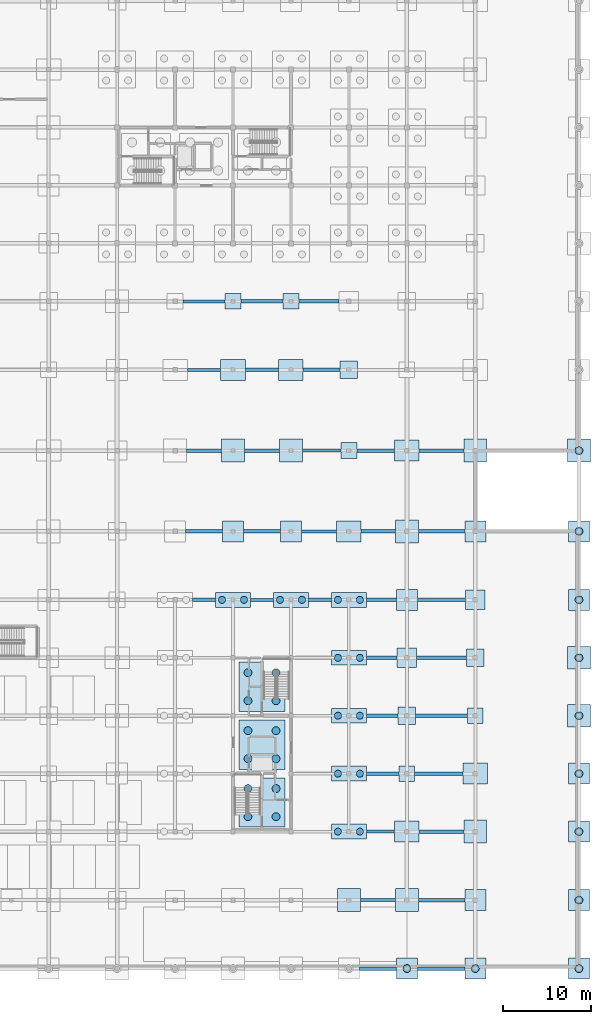
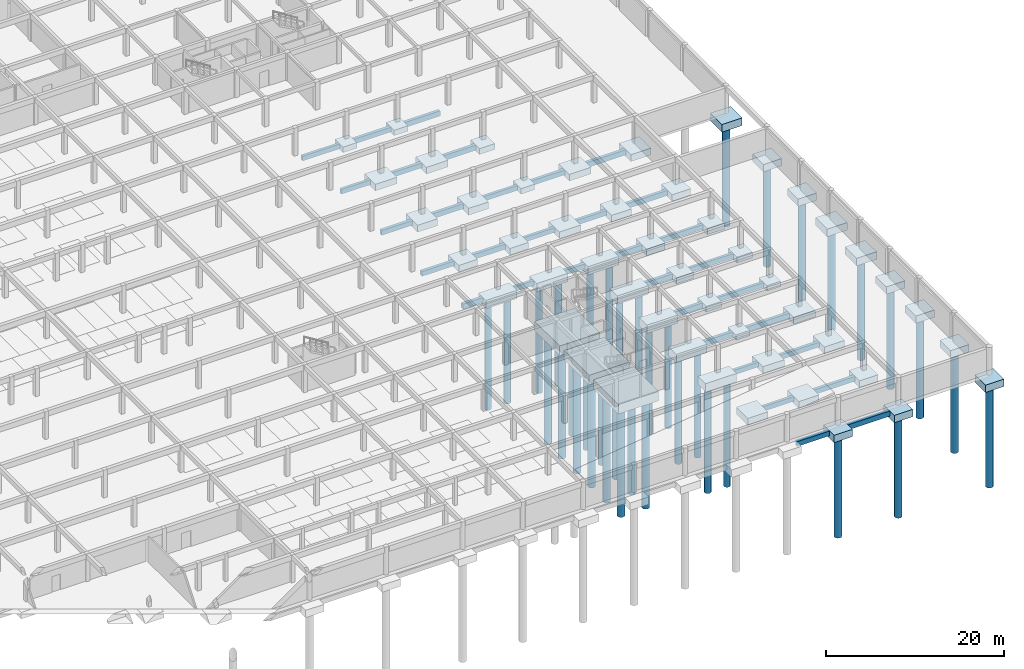
# One storey, part 8 of 37: 82 footings, 37 piles.
"""IFC4 building model written with IfcOpenShell, lengths in metres."""

import ifcopenshell
import ifcopenshell.guid

model = None  # the IFC model being written
_history = None  # IfcOwnerHistory: only IFC2X3 demands one
_inside = {}  # id of a spatial element -> (the spatial element, [elements in it])
_under = {}  # id of a project, library or spatial element -> (it, [spatial elements below it])
_declared = {}  # id of a project -> (the project, [libraries it declares])
_typed = {}  # id of a type object -> (the type object, [elements of that type])
_made_of = {}  # id of a material, layer set ... -> (it, [elements and type objects made of it])


def new_model(schema):
    """Start an empty IFC model of exactly this schema.

    Asked for "IFC4X3", IfcOpenShell would pick the latest addendum, in which some entities
    have other attributes; the version numbers below select the first issue.
    IFC2X3 requires an IfcOwnerHistory on every rooted entity: one is made here for all.
    """
    global model, _history
    if schema == "IFC4X3":
        model = ifcopenshell.file(schema_version=(4, 3, 0, 0))
    else:
        model = ifcopenshell.file(schema=schema)
    _inside.clear()
    _under.clear()
    _declared.clear()
    _typed.clear()
    _made_of.clear()
    _history = None
    if model.schema == "IFC2X3":
        org = make("IfcOrganization", Name="unknown")
        user = make(
            "IfcPersonAndOrganization",
            ThePerson=make("IfcPerson", FamilyName="unknown"),
            TheOrganization=org,
        )
        app = make(
            "IfcApplication",
            ApplicationDeveloper=org,
            Version="unknown",
            ApplicationFullName="unknown",
            ApplicationIdentifier="unknown",
        )
        _history = make(
            "IfcOwnerHistory",
            OwningUser=user,
            OwningApplication=app,
            ChangeAction="ADDED",
            CreationDate=0,
        )
    return model


def make(cls, **values):
    """One entity of the class cls with the attributes given. An attribute that is None is left unset."""
    return model.create_entity(
        cls, **{name: value for name, value in values.items() if value is not None}
    )


def rooted(cls, **values):
    """An entity with a GlobalId (a new one), such as an element, a storey or a relation."""
    return make(cls, GlobalId=ifcopenshell.guid.new(), OwnerHistory=_history, **values)


def si_unit(unit_type, name, prefix=None):
    """IfcSIUnit, for example si_unit("LENGTHUNIT", "METRE", prefix="MILLI")."""
    return make("IfcSIUnit", UnitType=unit_type, Prefix=prefix, Name=name)


def assignment(units):
    """IfcUnitAssignment: the units of a project."""
    return None if units is None else make("IfcUnitAssignment", Units=units)


def point(xyz):
    """IfcCartesianPoint."""
    return None if xyz is None else make("IfcCartesianPoint", Coordinates=xyz)


def direction(xyz):
    """IfcDirection."""
    return None if xyz is None else make("IfcDirection", DirectionRatios=xyz)


def frame(location, z_axis=None, x_axis=None):
    """IfcAxis2Placement3D, a coordinate frame: its origin and axes. An axis left out is left unset."""
    return make(
        "IfcAxis2Placement3D",
        Location=point(location),
        Axis=direction(z_axis),
        RefDirection=direction(x_axis),
    )


def frame_2d(location, x_axis=None):
    """IfcAxis2Placement2D, a coordinate frame in the plane: its origin and x axis."""
    return make(
        "IfcAxis2Placement2D", Location=point(location), RefDirection=direction(x_axis)
    )


def origin():
    """The frame at (0, 0, 0) with its axes left unset."""
    return frame((0.0, 0.0, 0.0))


def origin_2d():
    """The frame at (0, 0) in the plane with its x axis left unset."""
    return frame_2d((0.0, 0.0))


def place(relative_to, where):
    """IfcLocalPlacement: puts the frame where relative to a parent placement (None: the world)."""
    return make(
        "IfcLocalPlacement", PlacementRelTo=relative_to, RelativePlacement=where
    )


def context(
    kind, dimensions, precision=None, world=None, true_north=None, identifier=None
):
    """IfcGeometricRepresentationContext, for example the 3D "Model" context."""
    return make(
        "IfcGeometricRepresentationContext",
        ContextIdentifier=identifier,
        ContextType=kind,
        CoordinateSpaceDimension=dimensions,
        Precision=precision,
        WorldCoordinateSystem=world,
        TrueNorth=true_north,
    )


def subcontext(parent, identifier, kind, view, scale=None):
    """IfcGeometricRepresentationSubContext, for example "Body" below "Model"."""
    return make(
        "IfcGeometricRepresentationSubContext",
        ContextIdentifier=identifier,
        ContextType=kind,
        ParentContext=parent,
        TargetScale=scale,
        TargetView=view,
    )


def project(units=None, contexts=None):
    """IfcProject with its units and contexts."""
    return rooted(
        "IfcProject",
        Name="project",
        RepresentationContexts=contexts,
        UnitsInContext=assignment(units),
    )


def spatial(cls, under=None, at=None, **own):
    """A site, building, storey or space (cls), placed at a placement, below another one or the project."""
    s = rooted(cls, ObjectPlacement=at, **own)
    if under is not None:
        _under.setdefault(under.id(), (under, []))[1].append(s)
    return s


def profile(cls, at=None, kind="AREA", **sizes):
    """A parametric profile (cls). Its sizes go by their IFC names, for example OverallWidth=200.0."""
    return make(cls, ProfileType=kind, Position=at, **sizes)


def rectangle(**sizes):
    """IfcRectangleProfileDef."""
    return profile("IfcRectangleProfileDef", **sizes)


def circle(**sizes):
    """IfcCircleProfileDef."""
    return profile("IfcCircleProfileDef", **sizes)


def extrude(swept, where, along, depth):
    """IfcExtrudedAreaSolid: the profile swept, set in the frame where, extruded along a direction by depth."""
    return make(
        "IfcExtrudedAreaSolid",
        SweptArea=swept,
        Position=where,
        ExtrudedDirection=direction(along),
        Depth=depth,
    )


def shape(context_of_items, identifier, shape_type, items):
    """IfcShapeRepresentation: the items that make up one representation, for example the "Body"."""
    return make(
        "IfcShapeRepresentation",
        ContextOfItems=context_of_items,
        RepresentationIdentifier=identifier,
        RepresentationType=shape_type,
        Items=items,
    )


def material(Name=None, Category=None):
    """IfcMaterial."""
    return make("IfcMaterial", Name=Name, Category=Category)


def material_profile(
    of_material, cross_section, Name=None, Category=None, Priority=None
):
    """IfcMaterialProfile: a cross section and its material."""
    return make(
        "IfcMaterialProfile",
        Name=Name,
        Material=of_material,
        Profile=cross_section,
        Priority=Priority,
        Category=Category,
    )


def profile_set(profiles, Name=None, composite=None):
    """IfcMaterialProfileSet."""
    return make(
        "IfcMaterialProfileSet",
        Name=Name,
        MaterialProfiles=profiles,
        CompositeProfile=composite,
    )


def made_of(thing, what):
    """Note that an element or type object is made of a material, layer set ...; save() writes the relation."""
    if what is not None:
        _made_of.setdefault(what.id(), (what, []))[1].append(thing)
    return thing


def type_object(cls, material=None, **own):
    """A type object (cls), such as IfcWallType, which elements share."""
    return made_of(rooted(cls, **own), material)


def element(
    cls,
    number,
    at=None,
    inside=None,
    cuts=None,
    type_object=None,
    material=None,
    context=None,
    identifier="Body",
    shape_type=None,
    held_by="IfcProductDefinitionShape",
    body=None,
    shapes=None,
    **own,
):
    """One element of the class cls, such as IfcWall. Its Tag is "e" and its number.

    at: its placement. inside: the storey or other place that contains it. cuts: it is an
    opening in that element (IfcRelVoidsElement). A single representation is given by context,
    identifier, shape_type and body (its items); several are given by shapes. held_by: the class
    of the entity that holds the representations. save() writes the other relations.
    """
    e = rooted(cls, Tag="e%d" % number, ObjectPlacement=at, **own)
    if body is not None:
        shapes = [shape(context, identifier, shape_type, body)]
    if shapes is not None:
        e.Representation = make(held_by, Representations=shapes)
    if inside is not None:
        _inside.setdefault(inside.id(), (inside, []))[1].append(e)
    if cuts is not None:
        rooted(
            "IfcRelVoidsElement", RelatingBuildingElement=cuts, RelatedOpeningElement=e
        )
    if type_object is not None:
        _typed.setdefault(type_object.id(), (type_object, []))[1].append(e)
    return made_of(e, material)


def aggregate(whole, parts):
    """IfcRelAggregates: a whole, such as a stair, and the parts it consists of."""
    return rooted("IfcRelAggregates", RelatingObject=whole, RelatedObjects=parts)


def save(model, path):
    """Write the relations noted so far, then the file.

    IfcRelAggregates (storeys below a building ...), IfcRelContainedInSpatialStructure (elements
    in a storey), IfcRelDefinesByType, IfcRelAssociatesMaterial and IfcRelDeclares: one each for
    every whole, place, type object, material and project.
    """
    for whole, parts in _under.values():
        aggregate(whole, parts)
    for where, things in _inside.values():
        rooted(
            "IfcRelContainedInSpatialStructure",
            RelatedElements=things,
            RelatingStructure=where,
        )
    for kind, things in _typed.values():
        rooted("IfcRelDefinesByType", RelatedObjects=things, RelatingType=kind)
    for what, things in _made_of.values():
        rooted("IfcRelAssociatesMaterial", RelatedObjects=things, RelatingMaterial=what)
    for by, libraries in _declared.values():
        rooted("IfcRelDeclares", RelatingContext=by, RelatedDefinitions=libraries)
    model.write(path)


model = new_model("IFC4")

# Units and contexts
model_context = context("Model", 3, precision=1e-05, world=origin(), true_north=direction((0.0, 1.0)))
body_context = subcontext(model_context, "Body", "Model", "MODEL_VIEW")
ifc_project = project(units=[si_unit("LENGTHUNIT", "METRE"), si_unit("AREAUNIT", "SQUARE_METRE"), si_unit("VOLUMEUNIT", "CUBIC_METRE"), si_unit("PLANEANGLEUNIT", "RADIAN"), si_unit("MASSUNIT", "GRAM", prefix="KILO")], contexts=[model_context])

# Site, building, storey
site_placement = place(None, origin())
site = spatial("IfcSite", under=ifc_project, at=site_placement, CompositionType="ELEMENT")
building_placement = place(site_placement, origin())
building = spatial("IfcBuilding", under=site, at=building_placement, Name="Kernevlak Ridge Housing Community", CompositionType="ELEMENT")
storey_placement = place(building_placement, frame((0.0, 0.0, -3.800048828125)))
storey = spatial("IfcBuildingStorey", under=building, at=storey_placement, Name="B1", CompositionType="ELEMENT", Elevation=-3.800048828125)

# Piles
ifc_material = material(Name="Concrete C35/45", Category="concrete")
ifc_material_profile_1 = material_profile(ifc_material, circle(Radius=0.39990234375, at=origin_2d()), Name="BORED PILE 800")
ifc_profile_set_1 = profile_set([ifc_material_profile_1], Name="Concrete C35/45")
pile_type_1 = type_object("IfcPileType", Name="BP-01", PredefinedType="BORED", material=ifc_profile_set_1)
for number, where, z_axis, x_axis, name in (
    (1, (131.35009765625, 42.0, -1.5), (0.0, 0.0, -1.0), (1.0, 0.0, 0.0), "Bored pile BP-01 PILE-0251"),
    (2, (133.85009765625, 42.0, -1.5), (0.0, 0.0, -1.0), (1.0, 0.0, 0.0), "Bored pile BP-01 PILE-0252"),
    (3, (137.949951171875, 42.0, -1.5), (0.0, 0.0, -1.0), (1.0, 0.0, 0.0), "Bored pile BP-01 PILE-0263"),
    (4, (140.449951171875, 42.0, -1.5), (0.0, 0.0, -1.0), (1.0, 0.0, 0.0), "Bored pile BP-01 PILE-0264"),
    (5, (144.550048828125, 15.60009765625, -1.5), (0.0, 0.0, -1.0), (1.0, 0.0, 0.0), "Bored pile BP-01 PILE-0275"),
    (6, (147.050048828125, 15.60009765625, -1.5), (0.0, 0.0, -1.0), (1.0, 0.0, 0.0), "Bored pile BP-01 PILE-0276"),
    (7, (144.550048828125, 22.199951171875, -1.5), (0.0, 0.0, -1.0), (1.0, 0.0, 0.0), "Bored pile BP-01 PILE-0277"),
    (8, (147.050048828125, 22.199951171875, -1.5), (0.0, 0.0, -1.0), (1.0, 0.0, 0.0), "Bored pile BP-01 PILE-0278"),
    (9, (144.550048828125, 28.800048828125, -1.5), (0.0, 0.0, -1.0), (1.0, 0.0, 0.0), "Bored pile BP-01 PILE-0279"),
    (10, (147.050048828125, 28.800048828125, -1.5), (0.0, 0.0, -1.0), (1.0, 0.0, 0.0), "Bored pile BP-01 PILE-0280"),
    (11, (144.550048828125, 35.39990234375, -1.5), (0.0, 0.0, -1.0), (1.0, 0.0, 0.0), "Bored pile BP-01 PILE-0281"),
    (12, (147.050048828125, 35.39990234375, -1.5), (0.0, 0.0, -1.0), (1.0, 0.0, 0.0), "Bored pile BP-01 PILE-0282"),
    (13, (144.550048828125, 42.0, -1.5), (0.0, 0.0, -1.0), (1.0, 0.0, 0.0), "Bored pile BP-01 PILE-0283"),
    (14, (147.050048828125, 42.0, -1.5), (0.0, 0.0, -1.0), (1.0, 0.0, 0.0), "Bored pile BP-01 PILE-0284"),
):
    element("IfcPile", number, at=place(storey_placement, frame(where, z_axis=z_axis, x_axis=x_axis)), inside=storey, type_object=pile_type_1, Name=name, PredefinedType="BORED", context=body_context, shape_type="SweptSolid", body=[
        extrude(circle(Radius=0.39990234375, at=origin_2d()), origin(), (0.0, 0.0, 1.0), 14.5),
    ])
ifc_material_profile_2 = material_profile(ifc_material, circle(Radius=0.449951171875, at=origin_2d()), Name="BORED PILE 900")
ifc_profile_set_2 = profile_set([ifc_material_profile_2], Name="Concrete C35/45")
pile_type_2 = type_object("IfcPileType", Name="BP-02", PredefinedType="BORED", material=ifc_profile_set_2)
for number, where, z_axis, x_axis, name in (
    (15, (134.300048828125, 17.300048828125, -1.64990234375), (0.0, 0.0, -1.0), (1.0, 0.0, 0.0), "Bored pile BP-02 PILE-0025"),
    (16, (137.5, 17.300048828125, -1.64990234375), (0.0, 0.0, -1.0), (1.0, 0.0, 0.0), "Bored pile BP-02 PILE-0026"),
    (17, (134.300048828125, 20.5, -1.64990234375), (0.0, 0.0, -1.0), (1.0, 0.0, 0.0), "Bored pile BP-02 PILE-0027"),
    (18, (137.5, 20.5, -1.64990234375), (0.0, 0.0, -1.0), (1.0, 0.0, 0.0), "Bored pile BP-02 PILE-0028"),
    (19, (134.300048828125, 23.89990234375, -1.64990234375), (0.0, 0.0, -1.0), (1.0, 0.0, 0.0), "Bored pile BP-02 PILE-0029"),
    (20, (137.5, 23.89990234375, -1.64990234375), (0.0, 0.0, -1.0), (1.0, 0.0, 0.0), "Bored pile BP-02 PILE-0030"),
    (21, (134.300048828125, 27.10009765625, -1.64990234375), (0.0, 0.0, -1.0), (1.0, 0.0, 0.0), "Bored pile BP-02 PILE-0031"),
    (22, (137.5, 27.10009765625, -1.64990234375), (0.0, 0.0, -1.0), (1.0, 0.0, 0.0), "Bored pile BP-02 PILE-0032"),
    (23, (134.300048828125, 30.5, -1.64990234375), (0.0, 0.0, -1.0), (1.0, 0.0, 0.0), "Bored pile BP-02 PILE-0033"),
    (24, (137.5, 30.5, -1.64990234375), (0.0, 0.0, -1.0), (1.0, 0.0, 0.0), "Bored pile BP-02 PILE-0034"),
    (25, (134.300048828125, 33.699951171875, -1.64990234375), (0.0, 0.0, -1.0), (1.0, 0.0, 0.0), "Bored pile BP-02 PILE-0035"),
    (26, (137.5, 33.699951171875, -1.64990234375), (0.0, 0.0, -1.0), (1.0, 0.0, 0.0), "Bored pile BP-02 PILE-0036"),
):
    element("IfcPile", number, at=place(storey_placement, frame(where, z_axis=z_axis, x_axis=x_axis)), inside=storey, type_object=pile_type_2, Name=name, PredefinedType="BORED", context=body_context, shape_type="SweptSolid", body=[
        extrude(circle(Radius=0.449951171875, at=origin_2d()), origin(), (0.0, 0.0, 1.0), 15.0),
    ])
for number, where, z_axis, x_axis, name in (
    (27, (152.39990234375, 0.0, -1.349853515625), (0.0, 0.0, -1.0), (1.0, 0.0, 0.0), "Bored pile BP-02 PILE-0302"),
    (28, (160.199951171875, 0.0, -1.349853515625), (0.0, 0.0, -1.0), (1.0, 0.0, 0.0), "Bored pile BP-02 PILE-0320"),
    (29, (172.0, 0.0, -1.349853515625), (0.0, 0.0, -1.0), (1.0, 0.0, 0.0), "Bored pile BP-02 PILE-0322"),
    (30, (172.0, 7.800048828125, -1.349853515625), (0.0, 0.0, -1.0), (1.0, 0.0, 0.0), "Bored pile BP-02 PILE-0323"),
    (31, (172.0, 15.60009765625, -1.349853515625), (0.0, 0.0, -1.0), (1.0, 0.0, 0.0), "Bored pile BP-02 PILE-0324"),
    (32, (172.0, 22.199951171875, -1.349853515625), (0.0, 0.0, -1.0), (1.0, 0.0, 0.0), "Bored pile BP-02 PILE-0325"),
    (33, (172.0, 28.800048828125, -1.39990234375), (0.0, 0.0, -1.0), (1.0, 0.0, 0.0), "Bored pile BP-02 PILE-0326"),
    (34, (172.0, 35.39990234375, -1.39990234375), (0.0, 0.0, -1.0), (1.0, 0.0, 0.0), "Bored pile BP-02 PILE-0327"),
    (35, (172.0, 42.0, -1.349853515625), (0.0, 0.0, -1.0), (1.0, 0.0, 0.0), "Bored pile BP-02 PILE-0328"),
    (36, (172.0, 49.800048828125, -1.349853515625), (0.0, 0.0, -1.0), (1.0, 0.0, 0.0), "Bored pile BP-02 PILE-0329"),
    (37, (172.0, 59.0, -1.39990234375), (0.0, 0.0, -1.0), (1.0, 0.0, 0.0), "Bored pile BP-02 PILE-0330"),
):
    element("IfcPile", number, at=place(storey_placement, frame(where, z_axis=z_axis, x_axis=x_axis)), inside=storey, type_object=pile_type_2, Name=name, PredefinedType="BORED", context=body_context, shape_type="SweptSolid", body=[
        extrude(circle(Radius=0.449951171875, at=origin_2d()), origin(), (0.0, 0.0, 1.0), 14.0),
    ])

# Footings
ifc_material_profile_3 = material_profile(ifc_material, rectangle(XDim=0.39990234375, YDim=0.699951171875, at=origin_2d()), Name="RC 400x700")
ifc_profile_set_3 = profile_set([ifc_material_profile_3], Name="Concrete C35/45")
footing_type_1 = type_object("IfcFootingType", Name="FB-01", PredefinedType="FOOTING_BEAM", material=ifc_profile_set_3)
footing_1_placement = place(storey_placement, frame((153.60009765625, 0.0, -0.800048828125), z_axis=(1.0, 0.0, 0.0), x_axis=(0.0, 1.0, 0.0)))
element("IfcFooting", 38, at=footing_1_placement, inside=storey, type_object=footing_type_1, Name="Ground tie beam FB-01 21", PredefinedType="FOOTING_BEAM", context=body_context, shape_type="SweptSolid", body=[
    extrude(rectangle(XDim=0.39990234375, YDim=0.699951171875, at=origin_2d()), origin(), (0.0, 0.0, 1.0), 5.39990234375),
])
footing_2_placement = place(storey_placement, frame((153.300048828125, 22.199951171875, -0.800048828125), z_axis=(1.0, 0.0, 0.0), x_axis=(0.0, 1.0, 0.0)))
element("IfcFooting", 39, at=footing_2_placement, inside=storey, type_object=footing_type_1, Name="Ground tie beam FB-01 72", PredefinedType="FOOTING_BEAM", context=body_context, shape_type="SweptSolid", body=[
    extrude(rectangle(XDim=0.39990234375, YDim=0.699951171875, at=origin_2d()), origin(), (0.0, 0.0, 1.0), 5.5),
])
footing_3_placement = place(storey_placement, frame((147.800048828125, 28.800048828125, -0.800048828125), z_axis=(1.0, 0.0, 0.0), x_axis=(0.0, 1.0, 0.0)))
element("IfcFooting", 40, at=footing_3_placement, inside=storey, type_object=footing_type_1, Name="Ground tie beam FB-01 84", PredefinedType="FOOTING_BEAM", context=body_context, shape_type="SweptSolid", body=[
    extrude(rectangle(XDim=0.39990234375, YDim=0.699951171875, at=origin_2d()), origin(), (0.0, 0.0, 1.0), 3.599853515625),
])
footing_4_placement = place(storey_placement, frame((147.800048828125, 35.39990234375, -0.800048828125), z_axis=(1.0, 0.0, 0.0), x_axis=(0.0, 1.0, 0.0)))
element("IfcFooting", 41, at=footing_4_placement, inside=storey, type_object=footing_type_1, Name="Ground tie beam FB-01 102", PredefinedType="FOOTING_BEAM", context=body_context, shape_type="SweptSolid", body=[
    extrude(rectangle(XDim=0.39990234375, YDim=0.699951171875, at=origin_2d()), origin(), (0.0, 0.0, 1.0), 3.5),
])
footing_5_placement = place(storey_placement, frame((128.0, 42.0, -0.800048828125), z_axis=(1.0, 0.0, 0.0), x_axis=(0.0, 1.0, 0.0)))
element("IfcFooting", 42, at=footing_5_placement, inside=storey, type_object=footing_type_1, Name="Ground tie beam FB-01 120", PredefinedType="FOOTING_BEAM", context=body_context, shape_type="SweptSolid", body=[
    extrude(rectangle(XDim=0.39990234375, YDim=0.699951171875, at=origin_2d()), origin(), (0.0, 0.0, 1.0), 2.60009765625),
])
footing_6_placement = place(storey_placement, frame((147.800048828125, 42.0, -0.800048828125), z_axis=(1.0, 0.0, 0.0), x_axis=(0.0, 1.0, 0.0)))
element("IfcFooting", 43, at=footing_6_placement, inside=storey, type_object=footing_type_1, Name="Ground tie beam FB-01 123", PredefinedType="FOOTING_BEAM", context=body_context, shape_type="SweptSolid", body=[
    extrude(rectangle(XDim=0.39990234375, YDim=0.699951171875, at=origin_2d()), origin(), (0.0, 0.0, 1.0), 3.39990234375),
])
footing_7_placement = place(storey_placement, frame((133.800048828125, 49.800048828125, -0.800048828125), z_axis=(1.0, 0.0, 0.0), x_axis=(0.0, 1.0, 0.0)))
element("IfcFooting", 44, at=footing_7_placement, inside=storey, type_object=footing_type_1, Name="Ground tie beam FB-01 144", PredefinedType="FOOTING_BEAM", context=body_context, shape_type="SweptSolid", body=[
    extrude(rectangle(XDim=0.39990234375, YDim=0.699951171875, at=origin_2d()), origin(), (0.0, 0.0, 1.0), 4.199951171875),
])
footing_8_placement = place(storey_placement, frame((153.699951171875, 49.800048828125, -0.800048828125), z_axis=(1.0, 0.0, 0.0), x_axis=(0.0, 1.0, 0.0)))
element("IfcFooting", 45, at=footing_8_placement, inside=storey, type_object=footing_type_1, Name="Ground tie beam FB-01 147", PredefinedType="FOOTING_BEAM", context=body_context, shape_type="SweptSolid", body=[
    extrude(rectangle(XDim=0.39990234375, YDim=0.699951171875, at=origin_2d()), origin(), (0.0, 0.0, 1.0), 5.300048828125),
])
footing_9_placement = place(storey_placement, frame((133.89990234375, 59.0, -0.800048828125), z_axis=(1.0, 0.0, 0.0), x_axis=(0.0, 1.0, 0.0)))
element("IfcFooting", 46, at=footing_9_placement, inside=storey, type_object=footing_type_1, Name="Ground tie beam FB-01 165", PredefinedType="FOOTING_BEAM", context=body_context, shape_type="SweptSolid", body=[
    extrude(rectangle(XDim=0.39990234375, YDim=0.699951171875, at=origin_2d()), origin(), (0.0, 0.0, 1.0), 4.0),
])
footing_10_placement = place(storey_placement, frame((153.800048828125, 59.0, -0.800048828125), z_axis=(1.0, 0.0, 0.0), x_axis=(0.0, 1.0, 0.0)))
element("IfcFooting", 47, at=footing_10_placement, inside=storey, type_object=footing_type_1, Name="Ground tie beam FB-01 168", PredefinedType="FOOTING_BEAM", context=body_context, shape_type="SweptSolid", body=[
    extrude(rectangle(XDim=0.39990234375, YDim=0.699951171875, at=origin_2d()), origin(), (0.0, 0.0, 1.0), 5.099853515625),
])
footing_11_placement = place(storey_placement, frame((140.60009765625, 68.199951171875, -0.800048828125), z_axis=(1.0, 0.0, 0.0), x_axis=(0.0, 1.0, 0.0)))
element("IfcFooting", 48, at=footing_11_placement, inside=storey, type_object=footing_type_1, Name="Ground tie beam FB-01 186", PredefinedType="FOOTING_BEAM", context=body_context, shape_type="SweptSolid", body=[
    extrude(rectangle(XDim=0.39990234375, YDim=0.699951171875, at=origin_2d()), origin(), (0.0, 0.0, 1.0), 4.199951171875),
])
footing_12_placement = place(storey_placement, frame((140.10009765625, 76.0, -0.800048828125), z_axis=(1.0, 0.0, 0.0), x_axis=(0.0, 1.0, 0.0)))
element("IfcFooting", 49, at=footing_12_placement, inside=storey, type_object=footing_type_1, Name="Ground tie beam FB-01 207", PredefinedType="FOOTING_BEAM", context=body_context, shape_type="SweptSolid", body=[
    extrude(rectangle(XDim=0.39990234375, YDim=0.699951171875, at=origin_2d()), origin(), (0.0, 0.0, 1.0), 4.599853515625),
])
ifc_material_profile_4 = material_profile(ifc_material, rectangle(XDim=0.35009765625, YDim=0.64990234375, at=origin_2d()), Name="RC 350x650")
ifc_profile_set_4 = profile_set([ifc_material_profile_4], Name="Concrete C35/45")
footing_type_2 = type_object("IfcFootingType", Name="FB-02", PredefinedType="FOOTING_BEAM", material=ifc_profile_set_4)
footing_13_placement = place(storey_placement, frame((147.10009765625, 7.800048828125, -0.77490234375), z_axis=(1.0, 0.0, 0.0), x_axis=(0.0, 1.0, 0.0)))
element("IfcFooting", 50, at=footing_13_placement, inside=storey, type_object=footing_type_2, Name="Ground tie beam FB-02 40", PredefinedType="FOOTING_BEAM", context=body_context, shape_type="SweptSolid", body=[
    extrude(rectangle(XDim=0.35009765625, YDim=0.64990234375, at=origin_2d()), origin(), (0.0, 0.0, 1.0), 4.0),
])
footing_14_placement = place(storey_placement, frame((147.800048828125, 15.60009765625, -0.77490234375), z_axis=(1.0, 0.0, 0.0), x_axis=(0.0, 1.0, 0.0)))
element("IfcFooting", 51, at=footing_14_placement, inside=storey, type_object=footing_type_2, Name="Ground tie beam FB-02 58", PredefinedType="FOOTING_BEAM", context=body_context, shape_type="SweptSolid", body=[
    extrude(rectangle(XDim=0.35009765625, YDim=0.64990234375, at=origin_2d()), origin(), (0.0, 0.0, 1.0), 3.199951171875),
])
footing_15_placement = place(storey_placement, frame((153.39990234375, 28.800048828125, -0.77490234375), z_axis=(1.0, 0.0, 0.0), x_axis=(0.0, 1.0, 0.0)))
element("IfcFooting", 52, at=footing_15_placement, inside=storey, type_object=footing_type_2, Name="Ground tie beam FB-02 85", PredefinedType="FOOTING_BEAM", context=body_context, shape_type="SweptSolid", body=[
    extrude(rectangle(XDim=0.35009765625, YDim=0.64990234375, at=origin_2d()), origin(), (0.0, 0.0, 1.0), 5.900146484375),
])
footing_16_placement = place(storey_placement, frame((153.5, 35.39990234375, -0.77490234375), z_axis=(1.0, 0.0, 0.0), x_axis=(0.0, 1.0, 0.0)))
element("IfcFooting", 53, at=footing_16_placement, inside=storey, type_object=footing_type_2, Name="Ground tie beam FB-02 103", PredefinedType="FOOTING_BEAM", context=body_context, shape_type="SweptSolid", body=[
    extrude(rectangle(XDim=0.35009765625, YDim=0.64990234375, at=origin_2d()), origin(), (0.0, 0.0, 1.0), 5.699951171875),
])
footing_17_placement = place(storey_placement, frame((134.60009765625, 42.0, -0.77490234375), z_axis=(1.0, 0.0, 0.0), x_axis=(0.0, 1.0, 0.0)))
element("IfcFooting", 54, at=footing_17_placement, inside=storey, type_object=footing_type_2, Name="Ground tie beam FB-02 121", PredefinedType="FOOTING_BEAM", context=body_context, shape_type="SweptSolid", body=[
    extrude(rectangle(XDim=0.35009765625, YDim=0.64990234375, at=origin_2d()), origin(), (0.0, 0.0, 1.0), 2.599853515625),
])
footing_18_placement = place(storey_placement, frame((153.60009765625, 42.0, -0.77490234375), z_axis=(1.0, 0.0, 0.0), x_axis=(0.0, 1.0, 0.0)))
element("IfcFooting", 55, at=footing_18_placement, inside=storey, type_object=footing_type_2, Name="Ground tie beam FB-02 124", PredefinedType="FOOTING_BEAM", context=body_context, shape_type="SweptSolid", body=[
    extrude(rectangle(XDim=0.35009765625, YDim=0.64990234375, at=origin_2d()), origin(), (0.0, 0.0, 1.0), 5.5),
])
footing_19_placement = place(storey_placement, frame((140.39990234375, 49.800048828125, -0.77490234375), z_axis=(1.0, 0.0, 0.0), x_axis=(0.0, 1.0, 0.0)))
element("IfcFooting", 56, at=footing_19_placement, inside=storey, type_object=footing_type_2, Name="Ground tie beam FB-02 145", PredefinedType="FOOTING_BEAM", context=body_context, shape_type="SweptSolid", body=[
    extrude(rectangle(XDim=0.35009765625, YDim=0.64990234375, at=origin_2d()), origin(), (0.0, 0.0, 1.0), 4.0),
])
footing_20_placement = place(storey_placement, frame((140.5, 59.0, -0.77490234375), z_axis=(1.0, 0.0, 0.0), x_axis=(0.0, 1.0, 0.0)))
element("IfcFooting", 57, at=footing_20_placement, inside=storey, type_object=footing_type_2, Name="Ground tie beam FB-02 166", PredefinedType="FOOTING_BEAM", context=body_context, shape_type="SweptSolid", body=[
    extrude(rectangle(XDim=0.35009765625, YDim=0.64990234375, at=origin_2d()), origin(), (0.0, 0.0, 1.0), 4.39990234375),
])
footing_21_placement = place(storey_placement, frame((127.39990234375, 68.199951171875, -0.77490234375), z_axis=(1.0, 0.0, 0.0), x_axis=(0.0, 1.0, 0.0)))
element("IfcFooting", 58, at=footing_21_placement, inside=storey, type_object=footing_type_2, Name="Ground tie beam FB-02 184", PredefinedType="FOOTING_BEAM", context=body_context, shape_type="SweptSolid", body=[
    extrude(rectangle(XDim=0.35009765625, YDim=0.64990234375, at=origin_2d()), origin(), (0.0, 0.0, 1.0), 3.800048828125),
])
footing_22_placement = place(storey_placement, frame((126.89990234375, 76.0, -0.77490234375), z_axis=(1.0, 0.0, 0.0), x_axis=(0.0, 1.0, 0.0)))
element("IfcFooting", 59, at=footing_22_placement, inside=storey, type_object=footing_type_2, Name="Ground tie beam FB-02 205", PredefinedType="FOOTING_BEAM", context=body_context, shape_type="SweptSolid", body=[
    extrude(rectangle(XDim=0.35009765625, YDim=0.64990234375, at=origin_2d()), origin(), (0.0, 0.0, 1.0), 4.800048828125),
])
ifc_material_profile_5 = material_profile(ifc_material, rectangle(XDim=0.39990234375, YDim=0.64990234375, at=origin_2d()), Name="RC 400x650")
ifc_profile_set_5 = profile_set([ifc_material_profile_5], Name="Concrete C35/45")
footing_type_3 = type_object("IfcFootingType", Name="FB-03", PredefinedType="FOOTING_BEAM", material=ifc_profile_set_5)
footing_23_placement = place(storey_placement, frame((147.0, 0.0, -0.77490234375), z_axis=(1.0, 0.0, 0.0), x_axis=(0.0, 1.0, 0.0)))
element("IfcFooting", 60, at=footing_23_placement, inside=storey, type_object=footing_type_3, Name="Ground tie beam FB-03 20", PredefinedType="FOOTING_BEAM", context=body_context, shape_type="SweptSolid", body=[
    extrude(rectangle(XDim=0.39990234375, YDim=0.64990234375, at=origin_2d()), origin(), (0.0, 0.0, 1.0), 4.199951171875),
])
footing_24_placement = place(storey_placement, frame((153.699951171875, 7.800048828125, -0.77490234375), z_axis=(1.0, 0.0, 0.0), x_axis=(0.0, 1.0, 0.0)))
element("IfcFooting", 61, at=footing_24_placement, inside=storey, type_object=footing_type_3, Name="Ground tie beam FB-03 41", PredefinedType="FOOTING_BEAM", context=body_context, shape_type="SweptSolid", body=[
    extrude(rectangle(XDim=0.39990234375, YDim=0.64990234375, at=origin_2d()), origin(), (0.0, 0.0, 1.0), 5.300048828125),
])
footing_25_placement = place(storey_placement, frame((153.800048828125, 15.60009765625, -0.77490234375), z_axis=(1.0, 0.0, 0.0), x_axis=(0.0, 1.0, 0.0)))
element("IfcFooting", 62, at=footing_25_placement, inside=storey, type_object=footing_type_3, Name="Ground tie beam FB-03 59", PredefinedType="FOOTING_BEAM", context=body_context, shape_type="SweptSolid", body=[
    extrude(rectangle(XDim=0.39990234375, YDim=0.64990234375, at=origin_2d()), origin(), (0.0, 0.0, 1.0), 5.099853515625),
])
footing_26_placement = place(storey_placement, frame((147.800048828125, 22.199951171875, -0.77490234375), z_axis=(1.0, 0.0, 0.0), x_axis=(0.0, 1.0, 0.0)))
element("IfcFooting", 63, at=footing_26_placement, inside=storey, type_object=footing_type_3, Name="Ground tie beam FB-03 71", PredefinedType="FOOTING_BEAM", context=body_context, shape_type="SweptSolid", body=[
    extrude(rectangle(XDim=0.39990234375, YDim=0.64990234375, at=origin_2d()), origin(), (0.0, 0.0, 1.0), 3.699951171875),
])
footing_27_placement = place(storey_placement, frame((141.199951171875, 42.0, -0.77490234375), z_axis=(1.0, 0.0, 0.0), x_axis=(0.0, 1.0, 0.0)))
element("IfcFooting", 64, at=footing_27_placement, inside=storey, type_object=footing_type_3, Name="Ground tie beam FB-03 122", PredefinedType="FOOTING_BEAM", context=body_context, shape_type="SweptSolid", body=[
    extrude(rectangle(XDim=0.39990234375, YDim=0.64990234375, at=origin_2d()), origin(), (0.0, 0.0, 1.0), 2.60009765625),
])
footing_28_placement = place(storey_placement, frame((127.199951171875, 49.800048828125, -0.77490234375), z_axis=(1.0, 0.0, 0.0), x_axis=(0.0, 1.0, 0.0)))
element("IfcFooting", 65, at=footing_28_placement, inside=storey, type_object=footing_type_3, Name="Ground tie beam FB-03 143", PredefinedType="FOOTING_BEAM", context=body_context, shape_type="SweptSolid", body=[
    extrude(rectangle(XDim=0.39990234375, YDim=0.64990234375, at=origin_2d()), origin(), (0.0, 0.0, 1.0), 4.199951171875),
])
footing_29_placement = place(storey_placement, frame((147.199951171875, 49.800048828125, -0.77490234375), z_axis=(1.0, 0.0, 0.0), x_axis=(0.0, 1.0, 0.0)))
element("IfcFooting", 66, at=footing_29_placement, inside=storey, type_object=footing_type_3, Name="Ground tie beam FB-03 146", PredefinedType="FOOTING_BEAM", context=body_context, shape_type="SweptSolid", body=[
    extrude(rectangle(XDim=0.39990234375, YDim=0.64990234375, at=origin_2d()), origin(), (0.0, 0.0, 1.0), 3.900146484375),
])
footing_30_placement = place(storey_placement, frame((127.300048828125, 59.0, -0.77490234375), z_axis=(1.0, 0.0, 0.0), x_axis=(0.0, 1.0, 0.0)))
element("IfcFooting", 67, at=footing_30_placement, inside=storey, type_object=footing_type_3, Name="Ground tie beam FB-03 164", PredefinedType="FOOTING_BEAM", context=body_context, shape_type="SweptSolid", body=[
    extrude(rectangle(XDim=0.39990234375, YDim=0.64990234375, at=origin_2d()), origin(), (0.0, 0.0, 1.0), 4.0),
])
footing_31_placement = place(storey_placement, frame((146.699951171875, 59.0, -0.77490234375), z_axis=(1.0, 0.0, 0.0), x_axis=(0.0, 1.0, 0.0)))
element("IfcFooting", 68, at=footing_31_placement, inside=storey, type_object=footing_type_3, Name="Ground tie beam FB-03 167", PredefinedType="FOOTING_BEAM", context=body_context, shape_type="SweptSolid", body=[
    extrude(rectangle(XDim=0.39990234375, YDim=0.64990234375, at=origin_2d()), origin(), (0.0, 0.0, 1.0), 4.300048828125),
])
footing_32_placement = place(storey_placement, frame((134.0, 68.199951171875, -0.77490234375), z_axis=(1.0, 0.0, 0.0), x_axis=(0.0, 1.0, 0.0)))
element("IfcFooting", 69, at=footing_32_placement, inside=storey, type_object=footing_type_3, Name="Ground tie beam FB-03 185", PredefinedType="FOOTING_BEAM", context=body_context, shape_type="SweptSolid", body=[
    extrude(rectangle(XDim=0.39990234375, YDim=0.64990234375, at=origin_2d()), origin(), (0.0, 0.0, 1.0), 3.800048828125),
])
footing_33_placement = place(storey_placement, frame((133.5, 76.0, -0.77490234375), z_axis=(1.0, 0.0, 0.0), x_axis=(0.0, 1.0, 0.0)))
element("IfcFooting", 70, at=footing_33_placement, inside=storey, type_object=footing_type_3, Name="Ground tie beam FB-03 206", PredefinedType="FOOTING_BEAM", context=body_context, shape_type="SweptSolid", body=[
    extrude(rectangle(XDim=0.39990234375, YDim=0.64990234375, at=origin_2d()), origin(), (0.0, 0.0, 1.0), 4.800048828125),
])
footing_type_4 = type_object("IfcFootingType", Name="FC-01", PredefinedType="PILE_CAP", material=ifc_material)
for number, where, z_axis, x_axis, name in (
    (71, (152.39990234375, 0.0, -1.449951171875), (0.0, 0.0, 1.0), (1.0, 0.0, 0.0), "Footing FC-01 FTG-CAP-343"),
    (72, (160.199951171875, 0.0, -1.449951171875), (0.0, 0.0, 1.0), (1.0, 0.0, 0.0), "Footing FC-01 FTG-CAP-360"),
    (73, (172.0, 0.0, -1.449951171875), (0.0, 0.0, 1.0), (1.0, 0.0, 0.0), "Footing FC-01 FTG-CAP-377"),
    (74, (172.0, 7.800048828125, -1.449951171875), (0.0, 0.0, 1.0), (1.0, 0.0, 0.0), "Footing FC-01 FTG-CAP-378"),
    (75, (172.0, 15.60009765625, -1.449951171875), (0.0, 0.0, 1.0), (1.0, 0.0, 0.0), "Footing FC-01 FTG-CAP-379"),
    (76, (172.0, 22.199951171875, -1.449951171875), (0.0, 0.0, 1.0), (1.0, 0.0, 0.0), "Footing FC-01 FTG-CAP-380"),
    (77, (172.0, 42.0, -1.449951171875), (0.0, 0.0, 1.0), (1.0, 0.0, 0.0), "Footing FC-01 FTG-CAP-383"),
    (78, (172.0, 49.800048828125, -1.449951171875), (0.0, 0.0, 1.0), (1.0, 0.0, 0.0), "Footing FC-01 FTG-CAP-384"),
):
    element("IfcFooting", number, at=place(storey_placement, frame(where, z_axis=z_axis, x_axis=x_axis)), inside=storey, type_object=footing_type_4, Name=name, PredefinedType="PILE_CAP", context=body_context, shape_type="SweptSolid", body=[
        extrude(rectangle(XDim=2.39990234375, YDim=2.39990234375, at=origin_2d()), origin(), (0.0, 0.0, 1.0), 1.0),
    ])
footing_type_5 = type_object("IfcFootingType", Name="FC-06", PredefinedType="PILE_CAP", material=ifc_material)
for number, where, z_axis, x_axis, name in (
    (79, (135.89990234375, 18.89990234375, -1.75), (0.0, 0.0, 1.0), (1.0, 0.0, 0.0), "Footing FC-06 FTG-CAP-007"),
    (80, (135.89990234375, 25.5, -1.75), (0.0, 0.0, 1.0), (1.0, 0.0, 0.0), "Footing FC-06 FTG-CAP-008"),
    (81, (135.89990234375, 32.10009765625, -1.75), (0.0, 0.0, 1.0), (1.0, 0.0, 0.0), "Footing FC-06 FTG-CAP-009"),
):
    element("IfcFooting", number, at=place(storey_placement, frame(where, z_axis=z_axis, x_axis=x_axis)), inside=storey, type_object=footing_type_5, Name=name, PredefinedType="PILE_CAP", context=body_context, shape_type="SweptSolid", body=[
        extrude(rectangle(XDim=5.199951171875, YDim=5.60009765625, at=origin_2d()), origin(), (0.0, 0.0, 1.0), 1.300048828125),
    ])
footing_type_6 = type_object("IfcFootingType", Name="FC-07", PredefinedType="PILE_CAP", material=ifc_material)
for number, where, z_axis, x_axis, name in (
    (82, (132.60009765625, 42.0, -1.599853515625), (0.0, 0.0, 1.0), (1.0, 0.0, 0.0), "Footing FC-07 FTG-CAP-306"),
    (83, (139.199951171875, 42.0, -1.599853515625), (0.0, 0.0, 1.0), (1.0, 0.0, 0.0), "Footing FC-07 FTG-CAP-317"),
    (84, (145.800048828125, 15.60009765625, -1.599853515625), (0.0, 0.0, 1.0), (1.0, 0.0, 0.0), "Footing FC-07 FTG-CAP-328"),
    (85, (145.800048828125, 22.199951171875, -1.599853515625), (0.0, 0.0, 1.0), (1.0, 0.0, 0.0), "Footing FC-07 FTG-CAP-329"),
    (86, (145.800048828125, 28.800048828125, -1.599853515625), (0.0, 0.0, 1.0), (1.0, 0.0, 0.0), "Footing FC-07 FTG-CAP-330"),
    (87, (145.800048828125, 35.39990234375, -1.599853515625), (0.0, 0.0, 1.0), (1.0, 0.0, 0.0), "Footing FC-07 FTG-CAP-331"),
    (88, (145.800048828125, 42.0, -1.599853515625), (0.0, 0.0, 1.0), (1.0, 0.0, 0.0), "Footing FC-07 FTG-CAP-332"),
):
    element("IfcFooting", number, at=place(storey_placement, frame(where, z_axis=z_axis, x_axis=x_axis)), inside=storey, type_object=footing_type_6, Name=name, PredefinedType="PILE_CAP", context=body_context, shape_type="SweptSolid", body=[
        extrude(rectangle(XDim=4.0, YDim=1.699951171875, at=origin_2d()), origin(), (0.0, 0.0, 1.0), 1.14990234375),
    ])
footing_type_7 = type_object("IfcFootingType", Name="FC-08", PredefinedType="PILE_CAP", material=ifc_material)
for number, where, z_axis, x_axis, name in (
    (89, (172.0, 28.800048828125, -1.5), (0.0, 0.0, 1.0), (1.0, 0.0, 0.0), "Footing FC-08 FTG-CAP-381"),
    (90, (172.0, 35.39990234375, -1.5), (0.0, 0.0, 1.0), (1.0, 0.0, 0.0), "Footing FC-08 FTG-CAP-382"),
    (91, (172.0, 59.0, -1.5), (0.0, 0.0, 1.0), (1.0, 0.0, 0.0), "Footing FC-08 FTG-CAP-385"),
):
    element("IfcFooting", number, at=place(storey_placement, frame(where, z_axis=z_axis, x_axis=x_axis)), inside=storey, type_object=footing_type_7, Name=name, PredefinedType="PILE_CAP", context=body_context, shape_type="SweptSolid", body=[
        extrude(rectangle(XDim=2.60009765625, YDim=2.60009765625, at=origin_2d()), origin(), (0.0, 0.0, 1.0), 1.050048828125),
    ])
footing_type_8 = type_object("IfcFootingType", Name="PF-01", PredefinedType="PAD_FOOTING", material=ifc_material)
for number, where, z_axis, x_axis, name in (
    (92, (132.60009765625, 76.0, -1.199951171875), (0.0, 0.0, 1.0), (1.0, 0.0, 0.0), "Footing PF-01 FTG-CAP-310"),
    (93, (139.199951171875, 76.0, -1.199951171875), (0.0, 0.0, 1.0), (1.0, 0.0, 0.0), "Footing PF-01 FTG-CAP-321"),
    (94, (145.800048828125, 59.0, -1.199951171875), (0.0, 0.0, 1.0), (1.0, 0.0, 0.0), "Footing PF-01 FTG-CAP-334"),
    (95, (152.39990234375, 22.199951171875, -1.199951171875), (0.0, 0.0, 1.0), (1.0, 0.0, 0.0), "Footing PF-01 FTG-CAP-346"),
    (96, (160.199951171875, 28.800048828125, -1.199951171875), (0.0, 0.0, 1.0), (1.0, 0.0, 0.0), "Footing PF-01 FTG-CAP-364"),
):
    element("IfcFooting", number, at=place(storey_placement, frame(where, z_axis=z_axis, x_axis=x_axis)), inside=storey, type_object=footing_type_8, Name=name, PredefinedType="PAD_FOOTING", context=body_context, shape_type="SweptSolid", body=[
        extrude(rectangle(XDim=1.800048828125, YDim=1.800048828125, at=origin_2d()), origin(), (0.0, 0.0, 1.0), 0.75),
    ])
footing_type_9 = type_object("IfcFootingType", Name="PF-02", PredefinedType="PAD_FOOTING", material=ifc_material)
for number, where, z_axis, x_axis, name in (
    (97, (145.800048828125, 68.199951171875, -1.25), (0.0, 0.0, 1.0), (1.0, 0.0, 0.0), "Footing PF-02 FTG-CAP-335"),
    (98, (152.39990234375, 28.800048828125, -1.25), (0.0, 0.0, 1.0), (1.0, 0.0, 0.0), "Footing PF-02 FTG-CAP-347"),
    (99, (160.199951171875, 35.39990234375, -1.25), (0.0, 0.0, 1.0), (1.0, 0.0, 0.0), "Footing PF-02 FTG-CAP-365"),
):
    element("IfcFooting", number, at=place(storey_placement, frame(where, z_axis=z_axis, x_axis=x_axis)), inside=storey, type_object=footing_type_9, Name=name, PredefinedType="PAD_FOOTING", context=body_context, shape_type="SweptSolid", body=[
        extrude(rectangle(XDim=2.0, YDim=2.0, at=origin_2d()), origin(), (0.0, 0.0, 1.0), 0.800048828125),
    ])
footing_type_10 = type_object("IfcFootingType", Name="PF-03", PredefinedType="PAD_FOOTING", material=ifc_material)
for number, where, z_axis, x_axis, name in (
    (100, (152.39990234375, 35.39990234375, -1.300048828125), (0.0, 0.0, 1.0), (1.0, 0.0, 0.0), "Footing PF-03 FTG-CAP-348"),
    (101, (160.199951171875, 42.0, -1.300048828125), (0.0, 0.0, 1.0), (1.0, 0.0, 0.0), "Footing PF-03 FTG-CAP-366"),
):
    element("IfcFooting", number, at=place(storey_placement, frame(where, z_axis=z_axis, x_axis=x_axis)), inside=storey, type_object=footing_type_10, Name=name, PredefinedType="PAD_FOOTING", context=body_context, shape_type="SweptSolid", body=[
        extrude(rectangle(XDim=2.199951171875, YDim=2.199951171875, at=origin_2d()), origin(), (0.0, 0.0, 1.0), 0.85009765625),
    ])
footing_type_11 = type_object("IfcFootingType", Name="PF-04", PredefinedType="PAD_FOOTING", material=ifc_material)
for number, where, z_axis, x_axis, name in (
    (102, (132.60009765625, 49.800048828125, -1.349853515625), (0.0, 0.0, 1.0), (1.0, 0.0, 0.0), "Footing PF-04 FTG-CAP-307"),
    (103, (139.199951171875, 49.800048828125, -1.349853515625), (0.0, 0.0, 1.0), (1.0, 0.0, 0.0), "Footing PF-04 FTG-CAP-318"),
    (104, (152.39990234375, 42.0, -1.349853515625), (0.0, 0.0, 1.0), (1.0, 0.0, 0.0), "Footing PF-04 FTG-CAP-349"),
    (105, (160.199951171875, 7.800048828125, -1.349853515625), (0.0, 0.0, 1.0), (1.0, 0.0, 0.0), "Footing PF-04 FTG-CAP-361"),
    (106, (160.199951171875, 49.800048828125, -1.349853515625), (0.0, 0.0, 1.0), (1.0, 0.0, 0.0), "Footing PF-04 FTG-CAP-367"),
):
    element("IfcFooting", number, at=place(storey_placement, frame(where, z_axis=z_axis, x_axis=x_axis)), inside=storey, type_object=footing_type_11, Name=name, PredefinedType="PAD_FOOTING", context=body_context, shape_type="SweptSolid", body=[
        extrude(rectangle(XDim=2.39990234375, YDim=2.39990234375, at=origin_2d()), origin(), (0.0, 0.0, 1.0), 0.89990234375),
    ])
footing_type_12 = type_object("IfcFootingType", Name="PF-05", PredefinedType="PAD_FOOTING", material=ifc_material)
for number, where, z_axis, x_axis, name in (
    (107, (132.60009765625, 59.0, -1.39990234375), (0.0, 0.0, 1.0), (1.0, 0.0, 0.0), "Footing PF-05 FTG-CAP-308"),
    (108, (139.199951171875, 59.0, -1.39990234375), (0.0, 0.0, 1.0), (1.0, 0.0, 0.0), "Footing PF-05 FTG-CAP-319"),
    (109, (145.800048828125, 7.800048828125, -1.39990234375), (0.0, 0.0, 1.0), (1.0, 0.0, 0.0), "Footing PF-05 FTG-CAP-327"),
    (110, (152.39990234375, 7.800048828125, -1.39990234375), (0.0, 0.0, 1.0), (1.0, 0.0, 0.0), "Footing PF-05 FTG-CAP-344"),
    (111, (152.39990234375, 49.800048828125, -1.39990234375), (0.0, 0.0, 1.0), (1.0, 0.0, 0.0), "Footing PF-05 FTG-CAP-350"),
    (112, (160.199951171875, 15.60009765625, -1.39990234375), (0.0, 0.0, 1.0), (1.0, 0.0, 0.0), "Footing PF-05 FTG-CAP-362"),
    (113, (160.199951171875, 59.0, -1.39990234375), (0.0, 0.0, 1.0), (1.0, 0.0, 0.0), "Footing PF-05 FTG-CAP-368"),
):
    element("IfcFooting", number, at=place(storey_placement, frame(where, z_axis=z_axis, x_axis=x_axis)), inside=storey, type_object=footing_type_12, Name=name, PredefinedType="PAD_FOOTING", context=body_context, shape_type="SweptSolid", body=[
        extrude(rectangle(XDim=2.60009765625, YDim=2.60009765625, at=origin_2d()), origin(), (0.0, 0.0, 1.0), 0.949951171875),
    ])
footing_type_13 = type_object("IfcFootingType", Name="PF-06", PredefinedType="PAD_FOOTING", material=ifc_material)
for number, where, z_axis, x_axis, name in (
    (114, (132.60009765625, 68.199951171875, -1.349853515625), (0.0, 0.0, 1.0), (1.0, 0.0, 0.0), "Footing PF-06 FTG-CAP-309"),
    (115, (139.199951171875, 68.199951171875, -1.349853515625), (0.0, 0.0, 1.0), (1.0, 0.0, 0.0), "Footing PF-06 FTG-CAP-320"),
    (116, (145.800048828125, 49.800048828125, -1.349853515625), (0.0, 0.0, 1.0), (1.0, 0.0, 0.0), "Footing PF-06 FTG-CAP-333"),
    (117, (152.39990234375, 15.60009765625, -1.349853515625), (0.0, 0.0, 1.0), (1.0, 0.0, 0.0), "Footing PF-06 FTG-CAP-345"),
    (118, (152.39990234375, 59.0, -1.349853515625), (0.0, 0.0, 1.0), (1.0, 0.0, 0.0), "Footing PF-06 FTG-CAP-351"),
    (119, (160.199951171875, 22.199951171875, -1.349853515625), (0.0, 0.0, 1.0), (1.0, 0.0, 0.0), "Footing PF-06 FTG-CAP-363"),
):
    element("IfcFooting", number, at=place(storey_placement, frame(where, z_axis=z_axis, x_axis=x_axis)), inside=storey, type_object=footing_type_13, Name=name, PredefinedType="PAD_FOOTING", context=body_context, shape_type="SweptSolid", body=[
        extrude(rectangle(XDim=2.800048828125, YDim=2.39990234375, at=origin_2d()), origin(), (0.0, 0.0, 1.0), 0.89990234375),
    ])

save(model, "model.ifc")
